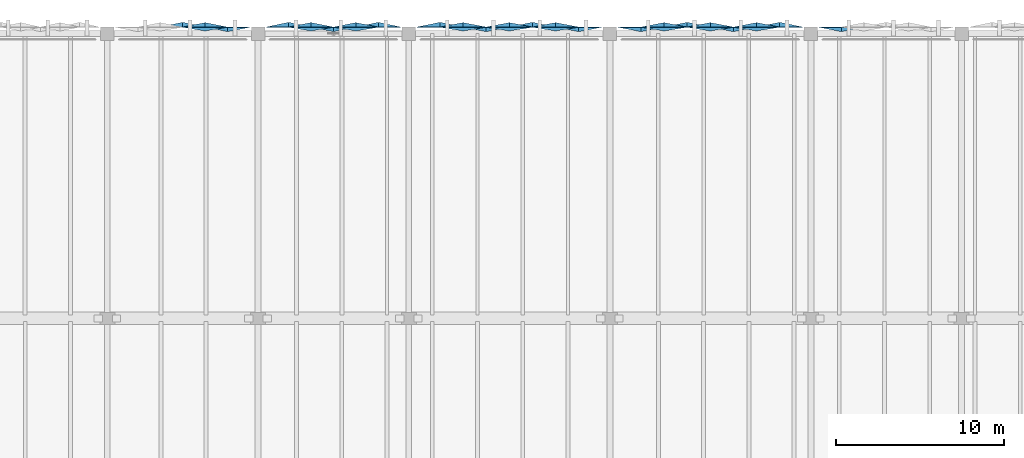
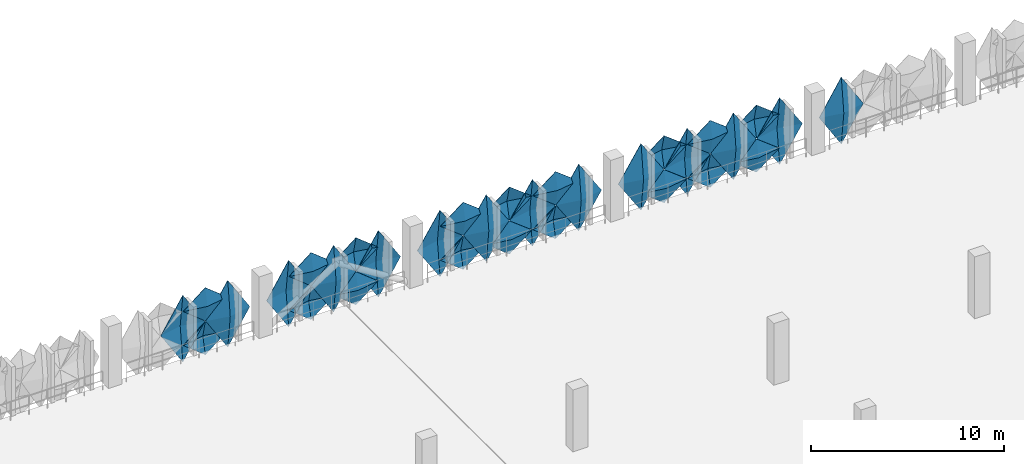
# One storey, part 103 of 123: 32 plates.
"""IFC4 building model written with IfcOpenShell, lengths in metres."""

from ifc_helpers import new_model, si_unit, derived_unit, direction, frame, origin, place, context, subcontext, project, spatial, polygons, material, layer, layer_set, type_object, element, save


model = new_model("IFC4")

# Units and contexts
model_context = context("Model", 3, precision=1e-05, world=origin(), true_north=direction((0.0, 1.0)))
body_context = subcontext(model_context, "Body", "Model", "MODEL_VIEW")
ifc_project = project(units=[si_unit("LENGTHUNIT", "METRE"), si_unit("AREAUNIT", "SQUARE_METRE"), si_unit("VOLUMEUNIT", "CUBIC_METRE"), si_unit("PLANEANGLEUNIT", "RADIAN"), si_unit("MASSUNIT", "GRAM", prefix="KILO"), si_unit("THERMODYNAMICTEMPERATUREUNIT", "KELVIN"), derived_unit("THERMALTRANSMITTANCEUNIT", [(si_unit("POWERUNIT", "WATT"), 1), (si_unit("AREAUNIT", "SQUARE_METRE"), -1), (si_unit("THERMODYNAMICTEMPERATUREUNIT", "KELVIN"), -1)])], contexts=[model_context])

# Site, building, storey
site_placement = place(None, origin())
site = spatial("IfcSite", under=ifc_project, at=site_placement, CompositionType="ELEMENT")
building_placement = place(site_placement, origin())
building = spatial("IfcBuilding", under=site, at=building_placement, Name="Haiyu Intermodal Mobility Hub", CompositionType="ELEMENT")
storey_placement = place(building_placement, frame((0.0, 0.0, 5.60009765625)))
storey = spatial("IfcBuildingStorey", under=building, at=storey_placement, Name="L01", CompositionType="ELEMENT", Elevation=5.60009765625)

# Plates
ifc_material = material(Name="Anodised aluminium 6063-T6", Category="aluminium")
ifc_layer_1 = layer(ifc_material, 0.01806640625)
ifc_layer_set_1 = layer_set([ifc_layer_1], Name="Anodised aluminium 6063-T6")
plate_type_1 = type_object("IfcPlateType", Name="PLT-FC01", PredefinedType="USERDEFINED", material=ifc_layer_set_1)
plate_1_placement = place(storey_placement, origin())
element("IfcPlate", 1, at=plate_1_placement, inside=storey, type_object=plate_type_1, Name="PLT-PYR-0290", ObjectType="FACADE CASSETTE", PredefinedType="USERDEFINED", context=body_context, shape_type="Tessellation", body=[
    polygons([(97.860107421875, 148.39990234375, -0.510009765625), (96.5, 148.39990234375, 1.599853515625), (97.860107421875, 148.39990234375, 3.7099609375), (99.219970703125, 148.39990234375, 1.599853515625), (97.860107421875, 148.679931640625, 1.599853515625), (97.860107421875, 148.3779296875, -0.510009765625), (96.5, 148.3779296875, 1.599853515625), (97.860107421875, 148.3779296875, 3.7099609375), (99.219970703125, 148.3779296875, 1.599853515625), (97.860107421875, 148.657958984375, 1.599853515625)], [[[1, 2, 5]], [[2, 3, 5]], [[3, 4, 5]], [[4, 1, 5]], [[7, 6, 10]], [[8, 7, 10]], [[9, 8, 10]], [[6, 9, 10]], [[1, 6, 7, 2]], [[2, 7, 8, 3]], [[3, 8, 9, 4]], [[4, 9, 6, 1]]], closed=True),
])
ifc_layer_2 = layer(ifc_material, 0.02001953125)
ifc_layer_set_2 = layer_set([ifc_layer_2], Name="Anodised aluminium 6063-T6")
plate_type_2 = type_object("IfcPlateType", Name="PLT-FC02", PredefinedType="USERDEFINED", material=ifc_layer_set_2)
plate_2_placement = place(storey_placement, origin())
element("IfcPlate", 2, at=plate_2_placement, inside=storey, type_object=plate_type_2, Name="PLT-PYR-0340", ObjectType="FACADE CASSETTE", PredefinedType="USERDEFINED", context=body_context, shape_type="Tessellation", body=[
    polygons([(109.860107421875, 148.39990234375, -0.510009765625), (108.5, 148.39990234375, 1.599853515625), (109.860107421875, 148.39990234375, 3.7099609375), (111.219970703125, 148.39990234375, 1.599853515625), (109.860107421875, 148.139892578125, 1.599853515625), (109.860107421875, 148.3779296875, -0.510009765625), (108.5, 148.3779296875, 1.599853515625), (109.860107421875, 148.3779296875, 3.7099609375), (111.219970703125, 148.3779296875, 1.599853515625), (109.860107421875, 148.117919921875, 1.599853515625)], [[[1, 2, 5]], [[2, 3, 5]], [[3, 4, 5]], [[4, 1, 5]], [[7, 6, 10]], [[8, 7, 10]], [[9, 8, 10]], [[6, 9, 10]], [[1, 6, 7, 2]], [[2, 7, 8, 3]], [[3, 8, 9, 4]], [[4, 9, 6, 1]]], closed=True),
])
ifc_layer_3 = layer(ifc_material, 0.01806640625)
ifc_layer_set_3 = layer_set([ifc_layer_3], Name="Anodised aluminium 6063-T6")
plate_type_3 = type_object("IfcPlateType", Name="PLT-FC03", PredefinedType="USERDEFINED", material=ifc_layer_set_3)
plate_3_placement = place(storey_placement, origin())
element("IfcPlate", 3, at=plate_3_placement, inside=storey, type_object=plate_type_3, Name="PLT-PYR-0212", ObjectType="FACADE CASSETTE", PredefinedType="USERDEFINED", context=body_context, shape_type="Tessellation", body=[
    polygons([(83.840087890625, 148.39990234375, -0.52001953125), (82.52001953125, 148.39990234375, 0.52978515625), (83.840087890625, 148.39990234375, 1.579833984375), (85.159912109375, 148.39990234375, 0.52978515625), (83.840087890625, 148.659912109375, 0.52978515625), (83.840087890625, 148.3779296875, -0.52001953125), (82.52001953125, 148.3779296875, 0.52978515625), (83.840087890625, 148.3779296875, 1.579833984375), (85.159912109375, 148.3779296875, 0.52978515625), (83.840087890625, 148.637939453125, 0.52978515625)], [[[1, 2, 5]], [[2, 3, 5]], [[3, 4, 5]], [[4, 1, 5]], [[7, 6, 10]], [[8, 7, 10]], [[9, 8, 10]], [[6, 9, 10]], [[1, 6, 7, 2]], [[2, 7, 8, 3]], [[3, 8, 9, 4]], [[4, 9, 6, 1]]], closed=True),
])
plate_4_placement = place(storey_placement, origin())
element("IfcPlate", 4, at=plate_4_placement, inside=storey, type_object=plate_type_3, Name="PLT-PYR-0246", ObjectType="FACADE CASSETTE", PredefinedType="USERDEFINED", context=body_context, shape_type="Tessellation", body=[
    polygons([(94.179931640625, 148.39990234375, -0.510009765625), (92.860107421875, 148.39990234375, 1.599853515625), (94.179931640625, 148.39990234375, 3.7099609375), (95.5, 148.39990234375, 1.599853515625), (94.179931640625, 148.679931640625, 1.599853515625), (94.179931640625, 148.3779296875, -0.510009765625), (92.860107421875, 148.3779296875, 1.599853515625), (94.179931640625, 148.3779296875, 3.7099609375), (95.5, 148.3779296875, 1.599853515625), (94.179931640625, 148.657958984375, 1.599853515625)], [[[1, 2, 5]], [[2, 3, 5]], [[3, 4, 5]], [[4, 1, 5]], [[7, 6, 10]], [[8, 7, 10]], [[9, 8, 10]], [[6, 9, 10]], [[1, 6, 7, 2]], [[2, 7, 8, 3]], [[3, 8, 9, 4]], [[4, 9, 6, 1]]], closed=True),
])
plate_5_placement = place(storey_placement, origin())
element("IfcPlate", 5, at=plate_5_placement, inside=storey, type_object=plate_type_3, Name="PLT-PYR-0250", ObjectType="FACADE CASSETTE", PredefinedType="USERDEFINED", context=body_context, shape_type="Tessellation", body=[
    polygons([(90.159912109375, 148.39990234375, -0.52001953125), (88.840087890625, 148.39990234375, 0.52978515625), (90.159912109375, 148.39990234375, 1.579833984375), (91.47998046875, 148.39990234375, 0.52978515625), (90.159912109375, 148.659912109375, 0.52978515625), (90.159912109375, 148.3779296875, -0.52001953125), (88.840087890625, 148.3779296875, 0.52978515625), (90.159912109375, 148.3779296875, 1.579833984375), (91.47998046875, 148.3779296875, 0.52978515625), (90.159912109375, 148.637939453125, 0.52978515625)], [[[1, 2, 5]], [[2, 3, 5]], [[3, 4, 5]], [[4, 1, 5]], [[7, 6, 10]], [[8, 7, 10]], [[9, 8, 10]], [[6, 9, 10]], [[1, 6, 7, 2]], [[2, 7, 8, 3]], [[3, 8, 9, 4]], [[4, 9, 6, 1]]], closed=True),
])
plate_6_placement = place(storey_placement, origin())
element("IfcPlate", 6, at=plate_6_placement, inside=storey, type_object=plate_type_3, Name="PLT-PYR-0282", ObjectType="FACADE CASSETTE", PredefinedType="USERDEFINED", context=body_context, shape_type="Tessellation", body=[
    polygons([(104.760009765625, 148.39990234375, -0.52001953125), (103.39990234375, 148.39990234375, 0.52978515625), (104.760009765625, 148.39990234375, 1.579833984375), (106.1201171875, 148.39990234375, 0.52978515625), (104.760009765625, 148.659912109375, 0.52978515625), (104.760009765625, 148.3779296875, -0.52001953125), (103.39990234375, 148.3779296875, 0.52978515625), (104.760009765625, 148.3779296875, 1.579833984375), (106.1201171875, 148.3779296875, 0.52978515625), (104.760009765625, 148.637939453125, 0.52978515625)], [[[1, 2, 5]], [[2, 3, 5]], [[3, 4, 5]], [[4, 1, 5]], [[7, 6, 10]], [[8, 7, 10]], [[9, 8, 10]], [[6, 9, 10]], [[1, 6, 7, 2]], [[2, 7, 8, 3]], [[3, 8, 9, 4]], [[4, 9, 6, 1]]], closed=True),
])
plate_7_placement = place(storey_placement, origin())
element("IfcPlate", 7, at=plate_7_placement, inside=storey, type_object=plate_type_3, Name="PLT-PYR-0288", ObjectType="FACADE CASSETTE", PredefinedType="USERDEFINED", context=body_context, shape_type="Tessellation", body=[
    polygons([(99.239990234375, 148.39990234375, -0.52001953125), (97.8798828125, 148.39990234375, 0.52978515625), (99.239990234375, 148.39990234375, 1.579833984375), (100.60009765625, 148.39990234375, 0.52978515625), (99.239990234375, 148.659912109375, 0.52978515625), (99.239990234375, 148.3779296875, -0.52001953125), (97.8798828125, 148.3779296875, 0.52978515625), (99.239990234375, 148.3779296875, 1.579833984375), (100.60009765625, 148.3779296875, 0.52978515625), (99.239990234375, 148.637939453125, 0.52978515625)], [[[1, 2, 5]], [[2, 3, 5]], [[3, 4, 5]], [[4, 1, 5]], [[7, 6, 10]], [[8, 7, 10]], [[9, 8, 10]], [[6, 9, 10]], [[1, 6, 7, 2]], [[2, 7, 8, 3]], [[3, 8, 9, 4]], [[4, 9, 6, 1]]], closed=True),
])
plate_8_placement = place(storey_placement, origin())
element("IfcPlate", 8, at=plate_8_placement, inside=storey, type_object=plate_type_3, Name="PLT-PYR-0331", ObjectType="FACADE CASSETTE", PredefinedType="USERDEFINED", context=body_context, shape_type="Tessellation", body=[
    polygons([(118.139892578125, 148.39990234375, -0.510009765625), (116.780029296875, 148.39990234375, 1.599853515625), (118.139892578125, 148.39990234375, 3.7099609375), (119.5, 148.39990234375, 1.599853515625), (118.139892578125, 148.679931640625, 1.599853515625), (118.139892578125, 148.3779296875, -0.510009765625), (116.780029296875, 148.3779296875, 1.599853515625), (118.139892578125, 148.3779296875, 3.7099609375), (119.5, 148.3779296875, 1.599853515625), (118.139892578125, 148.657958984375, 1.599853515625)], [[[1, 2, 5]], [[2, 3, 5]], [[3, 4, 5]], [[4, 1, 5]], [[7, 6, 10]], [[8, 7, 10]], [[9, 8, 10]], [[6, 9, 10]], [[1, 6, 7, 2]], [[2, 7, 8, 3]], [[3, 8, 9, 4]], [[4, 9, 6, 1]]], closed=True),
])
plate_9_placement = place(storey_placement, origin())
element("IfcPlate", 9, at=plate_9_placement, inside=storey, type_object=plate_type_3, Name="PLT-PYR-0335", ObjectType="FACADE CASSETTE", PredefinedType="USERDEFINED", context=body_context, shape_type="Tessellation", body=[
    polygons([(114.0, 148.39990234375, -0.52001953125), (112.639892578125, 148.39990234375, 0.52978515625), (114.0, 148.39990234375, 1.579833984375), (115.360107421875, 148.39990234375, 0.52978515625), (114.0, 148.659912109375, 0.52978515625), (114.0, 148.3779296875, -0.52001953125), (112.639892578125, 148.3779296875, 0.52978515625), (114.0, 148.3779296875, 1.579833984375), (115.360107421875, 148.3779296875, 0.52978515625), (114.0, 148.637939453125, 0.52978515625)], [[[1, 2, 5]], [[2, 3, 5]], [[3, 4, 5]], [[4, 1, 5]], [[7, 6, 10]], [[8, 7, 10]], [[9, 8, 10]], [[6, 9, 10]], [[1, 6, 7, 2]], [[2, 7, 8, 3]], [[3, 8, 9, 4]], [[4, 9, 6, 1]]], closed=True),
])
ifc_layer_4 = layer(ifc_material, 0.02001953125)
ifc_layer_set_4 = layer_set([ifc_layer_4], Name="Anodised aluminium 6063-T6")
plate_type_4 = type_object("IfcPlateType", Name="PLT-FC04", PredefinedType="USERDEFINED", material=ifc_layer_set_4)
plate_10_placement = place(storey_placement, origin())
element("IfcPlate", 10, at=plate_10_placement, inside=storey, type_object=plate_type_4, Name="PLT-PYR-0211", ObjectType="FACADE CASSETTE", PredefinedType="USERDEFINED", context=body_context, shape_type="Tessellation", body=[
    polygons([(85.179931640625, 148.39990234375, -0.510009765625), (83.860107421875, 148.39990234375, 1.599853515625), (85.179931640625, 148.39990234375, 3.7099609375), (86.5, 148.39990234375, 1.599853515625), (85.179931640625, 148.139892578125, 1.599853515625), (85.179931640625, 148.3779296875, -0.510009765625), (83.860107421875, 148.3779296875, 1.599853515625), (85.179931640625, 148.3779296875, 3.7099609375), (86.5, 148.3779296875, 1.599853515625), (85.179931640625, 148.117919921875, 1.599853515625)], [[[1, 2, 5]], [[2, 3, 5]], [[3, 4, 5]], [[4, 1, 5]], [[7, 6, 10]], [[8, 7, 10]], [[9, 8, 10]], [[6, 9, 10]], [[1, 6, 7, 2]], [[2, 7, 8, 3]], [[3, 8, 9, 4]], [[4, 9, 6, 1]]], closed=True),
])
plate_11_placement = place(storey_placement, origin())
element("IfcPlate", 11, at=plate_11_placement, inside=storey, type_object=plate_type_4, Name="PLT-PYR-0247", ObjectType="FACADE CASSETTE", PredefinedType="USERDEFINED", context=body_context, shape_type="Tessellation", body=[
    polygons([(92.840087890625, 148.39990234375, -0.52001953125), (91.52001953125, 148.39990234375, 0.52978515625), (92.840087890625, 148.39990234375, 1.579833984375), (94.159912109375, 148.39990234375, 0.52978515625), (92.840087890625, 148.179931640625, 0.52978515625), (92.840087890625, 148.3779296875, -0.52001953125), (91.52001953125, 148.3779296875, 0.52978515625), (92.840087890625, 148.3779296875, 1.579833984375), (94.159912109375, 148.3779296875, 0.52978515625), (92.840087890625, 148.157958984375, 0.52978515625)], [[[1, 2, 5]], [[2, 3, 5]], [[3, 4, 5]], [[4, 1, 5]], [[7, 6, 10]], [[8, 7, 10]], [[9, 8, 10]], [[6, 9, 10]], [[1, 6, 7, 2]], [[2, 7, 8, 3]], [[3, 8, 9, 4]], [[4, 9, 6, 1]]], closed=True),
])
plate_12_placement = place(storey_placement, origin())
element("IfcPlate", 12, at=plate_12_placement, inside=storey, type_object=plate_type_4, Name="PLT-PYR-0281", ObjectType="FACADE CASSETTE", PredefinedType="USERDEFINED", context=body_context, shape_type="Tessellation", body=[
    polygons([(106.139892578125, 148.39990234375, -0.510009765625), (104.780029296875, 148.39990234375, 1.599853515625), (106.139892578125, 148.39990234375, 3.7099609375), (107.5, 148.39990234375, 1.599853515625), (106.139892578125, 148.139892578125, 1.599853515625), (106.139892578125, 148.3779296875, -0.510009765625), (104.780029296875, 148.3779296875, 1.599853515625), (106.139892578125, 148.3779296875, 3.7099609375), (107.5, 148.3779296875, 1.599853515625), (106.139892578125, 148.117919921875, 1.599853515625)], [[[1, 2, 5]], [[2, 3, 5]], [[3, 4, 5]], [[4, 1, 5]], [[7, 6, 10]], [[8, 7, 10]], [[9, 8, 10]], [[6, 9, 10]], [[1, 6, 7, 2]], [[2, 7, 8, 3]], [[3, 8, 9, 4]], [[4, 9, 6, 1]]], closed=True),
])
plate_13_placement = place(storey_placement, origin())
element("IfcPlate", 13, at=plate_13_placement, inside=storey, type_object=plate_type_4, Name="PLT-PYR-0285", ObjectType="FACADE CASSETTE", PredefinedType="USERDEFINED", context=body_context, shape_type="Tessellation", body=[
    polygons([(102.0, 148.39990234375, -0.52001953125), (100.639892578125, 148.39990234375, 0.52978515625), (102.0, 148.39990234375, 1.579833984375), (103.360107421875, 148.39990234375, 0.52978515625), (102.0, 148.179931640625, 0.52978515625), (102.0, 148.3779296875, -0.52001953125), (100.639892578125, 148.3779296875, 0.52978515625), (102.0, 148.3779296875, 1.579833984375), (103.360107421875, 148.3779296875, 0.52978515625), (102.0, 148.157958984375, 0.52978515625)], [[[1, 2, 5]], [[2, 3, 5]], [[3, 4, 5]], [[4, 1, 5]], [[7, 6, 10]], [[8, 7, 10]], [[9, 8, 10]], [[6, 9, 10]], [[1, 6, 7, 2]], [[2, 7, 8, 3]], [[3, 8, 9, 4]], [[4, 9, 6, 1]]], closed=True),
])
plate_14_placement = place(storey_placement, origin())
element("IfcPlate", 14, at=plate_14_placement, inside=storey, type_object=plate_type_4, Name="PLT-PYR-0332", ObjectType="FACADE CASSETTE", PredefinedType="USERDEFINED", context=body_context, shape_type="Tessellation", body=[
    polygons([(116.760009765625, 148.39990234375, -0.52001953125), (115.39990234375, 148.39990234375, 0.52978515625), (116.760009765625, 148.39990234375, 1.579833984375), (118.1201171875, 148.39990234375, 0.52978515625), (116.760009765625, 148.179931640625, 0.52978515625), (116.760009765625, 148.3779296875, -0.52001953125), (115.39990234375, 148.3779296875, 0.52978515625), (116.760009765625, 148.3779296875, 1.579833984375), (118.1201171875, 148.3779296875, 0.52978515625), (116.760009765625, 148.157958984375, 0.52978515625)], [[[1, 2, 5]], [[2, 3, 5]], [[3, 4, 5]], [[4, 1, 5]], [[7, 6, 10]], [[8, 7, 10]], [[9, 8, 10]], [[6, 9, 10]], [[1, 6, 7, 2]], [[2, 7, 8, 3]], [[3, 8, 9, 4]], [[4, 9, 6, 1]]], closed=True),
])
plate_15_placement = place(storey_placement, origin())
element("IfcPlate", 15, at=plate_15_placement, inside=storey, type_object=plate_type_4, Name="PLT-PYR-0338", ObjectType="FACADE CASSETTE", PredefinedType="USERDEFINED", context=body_context, shape_type="Tessellation", body=[
    polygons([(111.239990234375, 148.39990234375, -0.52001953125), (109.8798828125, 148.39990234375, 0.52978515625), (111.239990234375, 148.39990234375, 1.579833984375), (112.60009765625, 148.39990234375, 0.52978515625), (111.239990234375, 148.179931640625, 0.52978515625), (111.239990234375, 148.3779296875, -0.52001953125), (109.8798828125, 148.3779296875, 0.52978515625), (111.239990234375, 148.3779296875, 1.579833984375), (112.60009765625, 148.3779296875, 0.52978515625), (111.239990234375, 148.157958984375, 0.52978515625)], [[[1, 2, 5]], [[2, 3, 5]], [[3, 4, 5]], [[4, 1, 5]], [[7, 6, 10]], [[8, 7, 10]], [[9, 8, 10]], [[6, 9, 10]], [[1, 6, 7, 2]], [[2, 7, 8, 3]], [[3, 8, 9, 4]], [[4, 9, 6, 1]]], closed=True),
])
ifc_layer_5 = layer(ifc_material, 0.01806640625)
ifc_layer_set_5 = layer_set([ifc_layer_5], Name="Anodised aluminium 6063-T6")
plate_type_5 = type_object("IfcPlateType", Name="PLT-FC05", PredefinedType="USERDEFINED", material=ifc_layer_set_5)
plate_16_placement = place(storey_placement, origin())
element("IfcPlate", 16, at=plate_16_placement, inside=storey, type_object=plate_type_5, Name="PLT-PYR-0214", ObjectType="FACADE CASSETTE", PredefinedType="USERDEFINED", context=body_context, shape_type="Tessellation", body=[
    polygons([(82.5, 148.39990234375, -0.510009765625), (81.179931640625, 148.39990234375, 1.599853515625), (82.5, 148.39990234375, 3.7099609375), (83.820068359375, 148.39990234375, 1.599853515625), (82.5, 148.679931640625, 1.599853515625), (82.5, 148.3779296875, -0.510009765625), (81.179931640625, 148.3779296875, 1.599853515625), (82.5, 148.3779296875, 3.7099609375), (83.820068359375, 148.3779296875, 1.599853515625), (82.5, 148.657958984375, 1.599853515625)], [[[1, 2, 5]], [[2, 3, 5]], [[3, 4, 5]], [[4, 1, 5]], [[7, 6, 10]], [[8, 7, 10]], [[9, 8, 10]], [[6, 9, 10]], [[1, 6, 7, 2]], [[2, 7, 8, 3]], [[3, 8, 9, 4]], [[4, 9, 6, 1]]], closed=True),
])
plate_17_placement = place(storey_placement, origin())
element("IfcPlate", 17, at=plate_17_placement, inside=storey, type_object=plate_type_5, Name="PLT-PYR-0248", ObjectType="FACADE CASSETTE", PredefinedType="USERDEFINED", context=body_context, shape_type="Tessellation", body=[
    polygons([(92.840087890625, 148.39990234375, 1.619873046875), (91.52001953125, 148.39990234375, 2.669921875), (92.840087890625, 148.39990234375, 3.719970703125), (94.159912109375, 148.39990234375, 2.669921875), (92.840087890625, 148.659912109375, 2.669921875), (92.840087890625, 148.3779296875, 1.619873046875), (91.52001953125, 148.3779296875, 2.669921875), (92.840087890625, 148.3779296875, 3.719970703125), (94.159912109375, 148.3779296875, 2.669921875), (92.840087890625, 148.637939453125, 2.669921875)], [[[1, 2, 5]], [[2, 3, 5]], [[3, 4, 5]], [[4, 1, 5]], [[7, 6, 10]], [[8, 7, 10]], [[9, 8, 10]], [[6, 9, 10]], [[1, 6, 7, 2]], [[2, 7, 8, 3]], [[3, 8, 9, 4]], [[4, 9, 6, 1]]], closed=True),
])
plate_18_placement = place(storey_placement, origin())
element("IfcPlate", 18, at=plate_18_placement, inside=storey, type_object=plate_type_5, Name="PLT-PYR-0284", ObjectType="FACADE CASSETTE", PredefinedType="USERDEFINED", context=body_context, shape_type="Tessellation", body=[
    polygons([(103.3798828125, 148.39990234375, -0.510009765625), (102.02001953125, 148.39990234375, 1.599853515625), (103.3798828125, 148.39990234375, 3.7099609375), (104.739990234375, 148.39990234375, 1.599853515625), (103.3798828125, 148.679931640625, 1.599853515625), (103.3798828125, 148.3779296875, -0.510009765625), (102.02001953125, 148.3779296875, 1.599853515625), (103.3798828125, 148.3779296875, 3.7099609375), (104.739990234375, 148.3779296875, 1.599853515625), (103.3798828125, 148.657958984375, 1.599853515625)], [[[1, 2, 5]], [[2, 3, 5]], [[3, 4, 5]], [[4, 1, 5]], [[7, 6, 10]], [[8, 7, 10]], [[9, 8, 10]], [[6, 9, 10]], [[1, 6, 7, 2]], [[2, 7, 8, 3]], [[3, 8, 9, 4]], [[4, 9, 6, 1]]], closed=True),
])
plate_19_placement = place(storey_placement, origin())
element("IfcPlate", 19, at=plate_19_placement, inside=storey, type_object=plate_type_5, Name="PLT-PYR-0286", ObjectType="FACADE CASSETTE", PredefinedType="USERDEFINED", context=body_context, shape_type="Tessellation", body=[
    polygons([(102.0, 148.39990234375, 1.619873046875), (100.639892578125, 148.39990234375, 2.669921875), (102.0, 148.39990234375, 3.719970703125), (103.360107421875, 148.39990234375, 2.669921875), (102.0, 148.659912109375, 2.669921875), (102.0, 148.3779296875, 1.619873046875), (100.639892578125, 148.3779296875, 2.669921875), (102.0, 148.3779296875, 3.719970703125), (103.360107421875, 148.3779296875, 2.669921875), (102.0, 148.637939453125, 2.669921875)], [[[1, 2, 5]], [[2, 3, 5]], [[3, 4, 5]], [[4, 1, 5]], [[7, 6, 10]], [[8, 7, 10]], [[9, 8, 10]], [[6, 9, 10]], [[1, 6, 7, 2]], [[2, 7, 8, 3]], [[3, 8, 9, 4]], [[4, 9, 6, 1]]], closed=True),
])
plate_20_placement = place(storey_placement, origin())
element("IfcPlate", 20, at=plate_20_placement, inside=storey, type_object=plate_type_5, Name="PLT-PYR-0333", ObjectType="FACADE CASSETTE", PredefinedType="USERDEFINED", context=body_context, shape_type="Tessellation", body=[
    polygons([(116.760009765625, 148.39990234375, 1.619873046875), (115.39990234375, 148.39990234375, 2.669921875), (116.760009765625, 148.39990234375, 3.719970703125), (118.1201171875, 148.39990234375, 2.669921875), (116.760009765625, 148.659912109375, 2.669921875), (116.760009765625, 148.3779296875, 1.619873046875), (115.39990234375, 148.3779296875, 2.669921875), (116.760009765625, 148.3779296875, 3.719970703125), (118.1201171875, 148.3779296875, 2.669921875), (116.760009765625, 148.637939453125, 2.669921875)], [[[1, 2, 5]], [[2, 3, 5]], [[3, 4, 5]], [[4, 1, 5]], [[7, 6, 10]], [[8, 7, 10]], [[9, 8, 10]], [[6, 9, 10]], [[1, 6, 7, 2]], [[2, 7, 8, 3]], [[3, 8, 9, 4]], [[4, 9, 6, 1]]], closed=True),
])
plate_21_placement = place(storey_placement, origin())
element("IfcPlate", 21, at=plate_21_placement, inside=storey, type_object=plate_type_5, Name="PLT-PYR-0339", ObjectType="FACADE CASSETTE", PredefinedType="USERDEFINED", context=body_context, shape_type="Tessellation", body=[
    polygons([(111.239990234375, 148.39990234375, 1.619873046875), (109.8798828125, 148.39990234375, 2.669921875), (111.239990234375, 148.39990234375, 3.719970703125), (112.60009765625, 148.39990234375, 2.669921875), (111.239990234375, 148.659912109375, 2.669921875), (111.239990234375, 148.3779296875, 1.619873046875), (109.8798828125, 148.3779296875, 2.669921875), (111.239990234375, 148.3779296875, 3.719970703125), (112.60009765625, 148.3779296875, 2.669921875), (111.239990234375, 148.637939453125, 2.669921875)], [[[1, 2, 5]], [[2, 3, 5]], [[3, 4, 5]], [[4, 1, 5]], [[7, 6, 10]], [[8, 7, 10]], [[9, 8, 10]], [[6, 9, 10]], [[1, 6, 7, 2]], [[2, 7, 8, 3]], [[3, 8, 9, 4]], [[4, 9, 6, 1]]], closed=True),
])
ifc_layer_6 = layer(ifc_material, 0.02001953125)
ifc_layer_set_6 = layer_set([ifc_layer_6], Name="Anodised aluminium 6063-T6")
plate_type_6 = type_object("IfcPlateType", Name="PLT-FC06", PredefinedType="USERDEFINED", material=ifc_layer_set_6)
plate_22_placement = place(storey_placement, origin())
element("IfcPlate", 22, at=plate_22_placement, inside=storey, type_object=plate_type_6, Name="PLT-PYR-0213", ObjectType="FACADE CASSETTE", PredefinedType="USERDEFINED", context=body_context, shape_type="Tessellation", body=[
    polygons([(83.840087890625, 148.39990234375, 1.619873046875), (82.52001953125, 148.39990234375, 2.669921875), (83.840087890625, 148.39990234375, 3.719970703125), (85.159912109375, 148.39990234375, 2.669921875), (83.840087890625, 148.179931640625, 2.669921875), (83.840087890625, 148.3779296875, 1.619873046875), (82.52001953125, 148.3779296875, 2.669921875), (83.840087890625, 148.3779296875, 3.719970703125), (85.159912109375, 148.3779296875, 2.669921875), (83.840087890625, 148.157958984375, 2.669921875)], [[[1, 2, 5]], [[2, 3, 5]], [[3, 4, 5]], [[4, 1, 5]], [[7, 6, 10]], [[8, 7, 10]], [[9, 8, 10]], [[6, 9, 10]], [[1, 6, 7, 2]], [[2, 7, 8, 3]], [[3, 8, 9, 4]], [[4, 9, 6, 1]]], closed=True),
])
plate_23_placement = place(storey_placement, origin())
element("IfcPlate", 23, at=plate_23_placement, inside=storey, type_object=plate_type_6, Name="PLT-PYR-0249", ObjectType="FACADE CASSETTE", PredefinedType="USERDEFINED", context=body_context, shape_type="Tessellation", body=[
    polygons([(91.5, 148.39990234375, -0.510009765625), (90.179931640625, 148.39990234375, 1.599853515625), (91.5, 148.39990234375, 3.7099609375), (92.820068359375, 148.39990234375, 1.599853515625), (91.5, 148.139892578125, 1.599853515625), (91.5, 148.3779296875, -0.510009765625), (90.179931640625, 148.3779296875, 1.599853515625), (91.5, 148.3779296875, 3.7099609375), (92.820068359375, 148.3779296875, 1.599853515625), (91.5, 148.117919921875, 1.599853515625)], [[[1, 2, 5]], [[2, 3, 5]], [[3, 4, 5]], [[4, 1, 5]], [[7, 6, 10]], [[8, 7, 10]], [[9, 8, 10]], [[6, 9, 10]], [[1, 6, 7, 2]], [[2, 7, 8, 3]], [[3, 8, 9, 4]], [[4, 9, 6, 1]]], closed=True),
])
plate_24_placement = place(storey_placement, origin())
element("IfcPlate", 24, at=plate_24_placement, inside=storey, type_object=plate_type_6, Name="PLT-PYR-0251", ObjectType="FACADE CASSETTE", PredefinedType="USERDEFINED", context=body_context, shape_type="Tessellation", body=[
    polygons([(90.159912109375, 148.39990234375, 1.619873046875), (88.840087890625, 148.39990234375, 2.669921875), (90.159912109375, 148.39990234375, 3.719970703125), (91.47998046875, 148.39990234375, 2.669921875), (90.159912109375, 148.179931640625, 2.669921875), (90.159912109375, 148.3779296875, 1.619873046875), (88.840087890625, 148.3779296875, 2.669921875), (90.159912109375, 148.3779296875, 3.719970703125), (91.47998046875, 148.3779296875, 2.669921875), (90.159912109375, 148.157958984375, 2.669921875)], [[[1, 2, 5]], [[2, 3, 5]], [[3, 4, 5]], [[4, 1, 5]], [[7, 6, 10]], [[8, 7, 10]], [[9, 8, 10]], [[6, 9, 10]], [[1, 6, 7, 2]], [[2, 7, 8, 3]], [[3, 8, 9, 4]], [[4, 9, 6, 1]]], closed=True),
])
plate_25_placement = place(storey_placement, origin())
element("IfcPlate", 25, at=plate_25_placement, inside=storey, type_object=plate_type_6, Name="PLT-PYR-0283", ObjectType="FACADE CASSETTE", PredefinedType="USERDEFINED", context=body_context, shape_type="Tessellation", body=[
    polygons([(104.760009765625, 148.39990234375, 1.619873046875), (103.39990234375, 148.39990234375, 2.669921875), (104.760009765625, 148.39990234375, 3.719970703125), (106.1201171875, 148.39990234375, 2.669921875), (104.760009765625, 148.179931640625, 2.669921875), (104.760009765625, 148.3779296875, 1.619873046875), (103.39990234375, 148.3779296875, 2.669921875), (104.760009765625, 148.3779296875, 3.719970703125), (106.1201171875, 148.3779296875, 2.669921875), (104.760009765625, 148.157958984375, 2.669921875)], [[[1, 2, 5]], [[2, 3, 5]], [[3, 4, 5]], [[4, 1, 5]], [[7, 6, 10]], [[8, 7, 10]], [[9, 8, 10]], [[6, 9, 10]], [[1, 6, 7, 2]], [[2, 7, 8, 3]], [[3, 8, 9, 4]], [[4, 9, 6, 1]]], closed=True),
])
plate_26_placement = place(storey_placement, origin())
element("IfcPlate", 26, at=plate_26_placement, inside=storey, type_object=plate_type_6, Name="PLT-PYR-0289", ObjectType="FACADE CASSETTE", PredefinedType="USERDEFINED", context=body_context, shape_type="Tessellation", body=[
    polygons([(99.239990234375, 148.39990234375, 1.619873046875), (97.8798828125, 148.39990234375, 2.669921875), (99.239990234375, 148.39990234375, 3.719970703125), (100.60009765625, 148.39990234375, 2.669921875), (99.239990234375, 148.179931640625, 2.669921875), (99.239990234375, 148.3779296875, 1.619873046875), (97.8798828125, 148.3779296875, 2.669921875), (99.239990234375, 148.3779296875, 3.719970703125), (100.60009765625, 148.3779296875, 2.669921875), (99.239990234375, 148.157958984375, 2.669921875)], [[[1, 2, 5]], [[2, 3, 5]], [[3, 4, 5]], [[4, 1, 5]], [[7, 6, 10]], [[8, 7, 10]], [[9, 8, 10]], [[6, 9, 10]], [[1, 6, 7, 2]], [[2, 7, 8, 3]], [[3, 8, 9, 4]], [[4, 9, 6, 1]]], closed=True),
])
plate_27_placement = place(storey_placement, origin())
element("IfcPlate", 27, at=plate_27_placement, inside=storey, type_object=plate_type_6, Name="PLT-PYR-0334", ObjectType="FACADE CASSETTE", PredefinedType="USERDEFINED", context=body_context, shape_type="Tessellation", body=[
    polygons([(115.3798828125, 148.39990234375, -0.510009765625), (114.02001953125, 148.39990234375, 1.599853515625), (115.3798828125, 148.39990234375, 3.7099609375), (116.739990234375, 148.39990234375, 1.599853515625), (115.3798828125, 148.139892578125, 1.599853515625), (115.3798828125, 148.3779296875, -0.510009765625), (114.02001953125, 148.3779296875, 1.599853515625), (115.3798828125, 148.3779296875, 3.7099609375), (116.739990234375, 148.3779296875, 1.599853515625), (115.3798828125, 148.117919921875, 1.599853515625)], [[[1, 2, 5]], [[2, 3, 5]], [[3, 4, 5]], [[4, 1, 5]], [[7, 6, 10]], [[8, 7, 10]], [[9, 8, 10]], [[6, 9, 10]], [[1, 6, 7, 2]], [[2, 7, 8, 3]], [[3, 8, 9, 4]], [[4, 9, 6, 1]]], closed=True),
])
plate_28_placement = place(storey_placement, origin())
element("IfcPlate", 28, at=plate_28_placement, inside=storey, type_object=plate_type_6, Name="PLT-PYR-0336", ObjectType="FACADE CASSETTE", PredefinedType="USERDEFINED", context=body_context, shape_type="Tessellation", body=[
    polygons([(114.0, 148.39990234375, 1.619873046875), (112.639892578125, 148.39990234375, 2.669921875), (114.0, 148.39990234375, 3.719970703125), (115.360107421875, 148.39990234375, 2.669921875), (114.0, 148.179931640625, 2.669921875), (114.0, 148.3779296875, 1.619873046875), (112.639892578125, 148.3779296875, 2.669921875), (114.0, 148.3779296875, 3.719970703125), (115.360107421875, 148.3779296875, 2.669921875), (114.0, 148.157958984375, 2.669921875)], [[[1, 2, 5]], [[2, 3, 5]], [[3, 4, 5]], [[4, 1, 5]], [[7, 6, 10]], [[8, 7, 10]], [[9, 8, 10]], [[6, 9, 10]], [[1, 6, 7, 2]], [[2, 7, 8, 3]], [[3, 8, 9, 4]], [[4, 9, 6, 1]]], closed=True),
])
ifc_layer_7 = layer(ifc_material, 0.02197265625)
ifc_layer_set_7 = layer_set([ifc_layer_7], Name="Anodised aluminium 6063-T6")
plate_type_7 = type_object("IfcPlateType", Name="PLT-FC07", PredefinedType="USERDEFINED", material=ifc_layer_set_7)
plate_29_placement = place(storey_placement, origin())
element("IfcPlate", 29, at=plate_29_placement, inside=storey, type_object=plate_type_7, Name="PLT-PYR-0252", ObjectType="FACADE CASSETTE", PredefinedType="USERDEFINED", context=body_context, shape_type="Tessellation", body=[
    polygons([(88.820068359375, 148.39990234375, -0.510009765625), (87.5, 148.39990234375, 1.599853515625), (88.820068359375, 148.39990234375, 3.7099609375), (90.139892578125, 148.39990234375, 1.599853515625), (88.820068359375, 148.679931640625, 1.599853515625), (88.820068359375, 148.3779296875, -0.510009765625), (87.5, 148.3779296875, 1.599853515625), (88.820068359375, 148.3779296875, 3.7099609375), (90.139892578125, 148.3779296875, 1.599853515625), (88.820068359375, 148.657958984375, 1.599853515625)], [[[1, 2, 5]], [[2, 3, 5]], [[3, 4, 5]], [[4, 1, 5]], [[7, 6, 10]], [[8, 7, 10]], [[9, 8, 10]], [[6, 9, 10]], [[1, 6, 7, 2]], [[2, 7, 8, 3]], [[3, 8, 9, 4]], [[4, 9, 6, 1]]], closed=True),
])
plate_30_placement = place(storey_placement, origin())
element("IfcPlate", 30, at=plate_30_placement, inside=storey, type_object=plate_type_7, Name="PLT-PYR-0337", ObjectType="FACADE CASSETTE", PredefinedType="USERDEFINED", context=body_context, shape_type="Tessellation", body=[
    polygons([(112.6201171875, 148.39990234375, -0.510009765625), (111.260009765625, 148.39990234375, 1.599853515625), (112.6201171875, 148.39990234375, 3.7099609375), (113.97998046875, 148.39990234375, 1.599853515625), (112.6201171875, 148.679931640625, 1.599853515625), (112.6201171875, 148.3779296875, -0.510009765625), (111.260009765625, 148.3779296875, 1.599853515625), (112.6201171875, 148.3779296875, 3.7099609375), (113.97998046875, 148.3779296875, 1.599853515625), (112.6201171875, 148.657958984375, 1.599853515625)], [[[1, 2, 5]], [[2, 3, 5]], [[3, 4, 5]], [[4, 1, 5]], [[7, 6, 10]], [[8, 7, 10]], [[9, 8, 10]], [[6, 9, 10]], [[1, 6, 7, 2]], [[2, 7, 8, 3]], [[3, 8, 9, 4]], [[4, 9, 6, 1]]], closed=True),
])
ifc_layer_8 = layer(ifc_material, 0.02392578125)
ifc_layer_set_8 = layer_set([ifc_layer_8], Name="Anodised aluminium 6063-T6")
plate_type_8 = type_object("IfcPlateType", Name="PLT-FC08", PredefinedType="USERDEFINED", material=ifc_layer_set_8)
plate_31_placement = place(storey_placement, origin())
element("IfcPlate", 31, at=plate_31_placement, inside=storey, type_object=plate_type_8, Name="PLT-PYR-0287", ObjectType="FACADE CASSETTE", PredefinedType="USERDEFINED", context=body_context, shape_type="Tessellation", body=[
    polygons([(100.6201171875, 148.39990234375, -0.510009765625), (99.260009765625, 148.39990234375, 1.599853515625), (100.6201171875, 148.39990234375, 3.7099609375), (101.97998046875, 148.39990234375, 1.599853515625), (100.6201171875, 148.139892578125, 1.599853515625), (100.6201171875, 148.3779296875, -0.510009765625), (99.260009765625, 148.3779296875, 1.599853515625), (100.6201171875, 148.3779296875, 3.7099609375), (101.97998046875, 148.3779296875, 1.599853515625), (100.6201171875, 148.117919921875, 1.599853515625)], [[[1, 2, 5]], [[2, 3, 5]], [[3, 4, 5]], [[4, 1, 5]], [[7, 6, 10]], [[8, 7, 10]], [[9, 8, 10]], [[6, 9, 10]], [[1, 6, 7, 2]], [[2, 7, 8, 3]], [[3, 8, 9, 4]], [[4, 9, 6, 1]]], closed=True),
])
plate_32_placement = place(storey_placement, origin())
element("IfcPlate", 32, at=plate_32_placement, inside=storey, type_object=plate_type_8, Name="PLT-PYR-0387", ObjectType="FACADE CASSETTE", PredefinedType="USERDEFINED", context=body_context, shape_type="Tessellation", body=[
    polygons([(121.820068359375, 148.39990234375, -0.510009765625), (120.5, 148.39990234375, 1.599853515625), (121.820068359375, 148.39990234375, 3.7099609375), (123.139892578125, 148.39990234375, 1.599853515625), (121.820068359375, 148.139892578125, 1.599853515625), (121.820068359375, 148.3779296875, -0.510009765625), (120.5, 148.3779296875, 1.599853515625), (121.820068359375, 148.3779296875, 3.7099609375), (123.139892578125, 148.3779296875, 1.599853515625), (121.820068359375, 148.117919921875, 1.599853515625)], [[[1, 2, 5]], [[2, 3, 5]], [[3, 4, 5]], [[4, 1, 5]], [[7, 6, 10]], [[8, 7, 10]], [[9, 8, 10]], [[6, 9, 10]], [[1, 6, 7, 2]], [[2, 7, 8, 3]], [[3, 8, 9, 4]], [[4, 9, 6, 1]]], closed=True),
])

save(model, "model.ifc")
